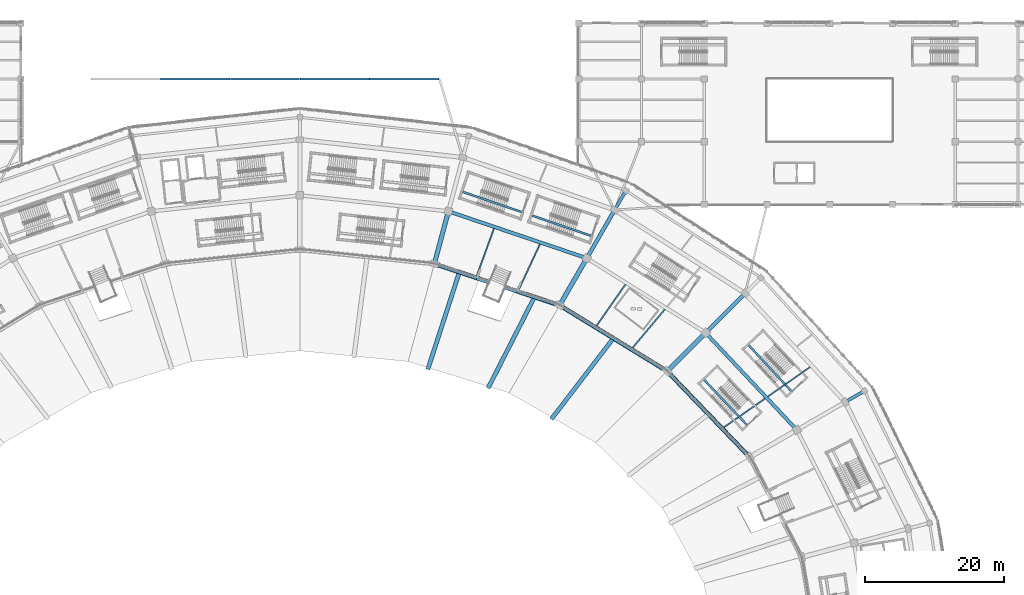
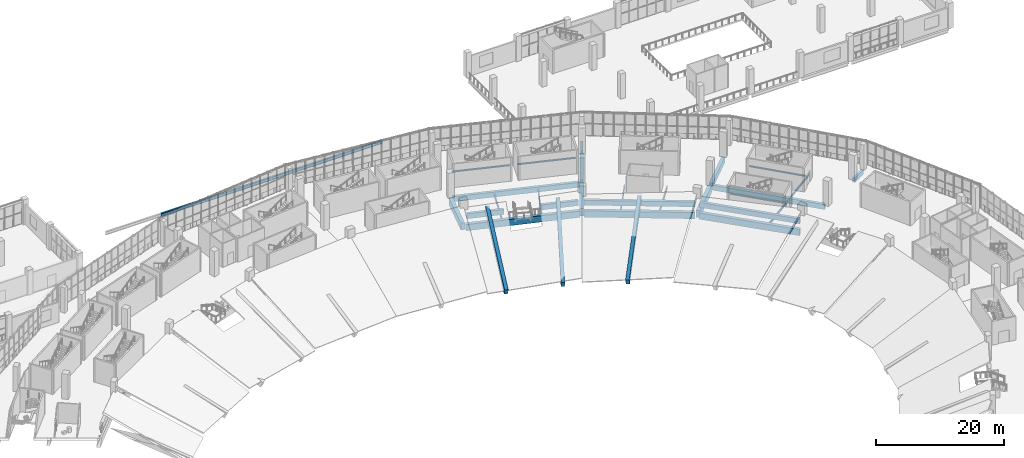
# One storey, part 60 of 183: 33 beams.
"""IFC4 building model written with IfcOpenShell, lengths in metres."""

from ifc_helpers import new_model, si_unit, direction, frame, origin, origin_2d, place, context, subcontext, project, spatial, rectangle, i_section, extrude, material, material_profile, profile_set, type_object, element, save


model = new_model("IFC4")

# Units and contexts
model_context = context("Model", 3, precision=1e-05, world=origin(), true_north=direction((0.0, 1.0)))
body_context = subcontext(model_context, "Body", "Model", "MODEL_VIEW")
ifc_project = project(units=[si_unit("LENGTHUNIT", "METRE"), si_unit("AREAUNIT", "SQUARE_METRE"), si_unit("VOLUMEUNIT", "CUBIC_METRE"), si_unit("PLANEANGLEUNIT", "RADIAN"), si_unit("MASSUNIT", "GRAM", prefix="KILO")], contexts=[model_context])

# Site, building, storey
site_placement = place(None, origin())
site = spatial("IfcSite", under=ifc_project, at=site_placement, CompositionType="ELEMENT")
building_placement = place(site_placement, origin())
building = spatial("IfcBuilding", under=site, at=building_placement, Name="Zevraka Park Crest Stadium", CompositionType="ELEMENT")
storey_placement = place(building_placement, frame((0.0, 0.0, 5.39990234375)))
storey = spatial("IfcBuildingStorey", under=building, at=storey_placement, Name="L01", CompositionType="ELEMENT", Elevation=5.39990234375)

# Beams
ifc_material_1 = material(Name="Concrete C40/50", Category="concrete")
ifc_material_profile_1 = material_profile(ifc_material_1, rectangle(XDim=0.64990234375, YDim=1.35009765625, at=origin_2d()), Name="RC 1350x650")
ifc_profile_set_1 = profile_set([ifc_material_profile_1], Name="Concrete C40/50")
beam_type_1 = type_object("IfcBeamType", Name="BG01", PredefinedType="BEAM", material=ifc_profile_set_1)
beam_1_placement = place(storey_placement, frame((164.89111328125, 134.284912109375, -0.684814453125), z_axis=(0.707157639372, 0.707055919343, 0.0), x_axis=(-0.707055919343, 0.707157639372, 0.0)))
element("IfcBeam", 1, at=beam_1_placement, inside=storey, type_object=beam_type_1, Name="Radial Girder BG01 L01-BC-03", PredefinedType="BEAM", context=body_context, shape_type="SweptSolid", body=[
    extrude(rectangle(XDim=0.64990234375, YDim=1.35009765625, at=origin_2d()), origin(), (0.0, 0.0, 1.0), 7.200439453125),
])
beam_2_placement = place(storey_placement, frame((149.39990234375, 143.7890625, -0.684814453125), z_axis=(0.500041424909, 0.866001485781, 0.0), x_axis=(-0.866001485781, 0.500041424909, 0.0)))
element("IfcBeam", 2, at=beam_2_placement, inside=storey, type_object=beam_type_1, Name="Radial Girder BG01 L01-BC-04", PredefinedType="BEAM", context=body_context, shape_type="SweptSolid", body=[
    extrude(rectangle(XDim=0.64990234375, YDim=1.35009765625, at=origin_2d()), origin(), (0.0, 0.0, 1.0), 7.19970703125),
])
beam_3_placement = place(storey_placement, frame((131.360107421875, 149.762939453125, -0.684814453125), z_axis=(0.258747385792, 0.965945024495, 0.0), x_axis=(-0.965945024495, 0.258747385792, 0.0)))
element("IfcBeam", 3, at=beam_3_placement, inside=storey, type_object=beam_type_1, Name="Radial Girder BG01 L01-BC-05", PredefinedType="BEAM", context=body_context, shape_type="SweptSolid", body=[
    extrude(rectangle(XDim=0.64990234375, YDim=1.35009765625, at=origin_2d()), origin(), (0.0, 0.0, 1.0), 7.19921875),
])
ifc_material_2 = material(Name="Concrete C40/50", Category="concrete")
ifc_material_profile_2 = material_profile(ifc_material_2, rectangle(XDim=0.550048828125, YDim=1.10009765625, at=origin_2d()), Name="RC 1100x550")
ifc_profile_set_2 = profile_set([ifc_material_profile_2], Name="Concrete C40/50")
beam_type_2 = type_object("IfcBeamType", Name="BG02", PredefinedType="BEAM", material=ifc_profile_set_2)
beam_4_placement = place(storey_placement, frame((170.406982421875, 139.800048828125, -0.559814453125), z_axis=(0.707106781187, 0.707106781187, 0.0), x_axis=(-0.707106781187, 0.707106781187, 0.0)))
element("IfcBeam", 4, at=beam_4_placement, inside=storey, type_object=beam_type_2, Name="Radial Girder BG02 L01-CD-03", PredefinedType="BEAM", context=body_context, shape_type="SweptSolid", body=[
    extrude(rectangle(XDim=0.550048828125, YDim=1.10009765625, at=origin_2d()), origin(), (0.0, 0.0, 1.0), 7.400390625),
])
beam_5_placement = place(storey_placement, frame((153.300048828125, 150.5439453125, -0.559814453125), z_axis=(0.500031859608, 0.86600700885, 0.0), x_axis=(-0.86600700885, 0.500031859608, 0.0)))
element("IfcBeam", 5, at=beam_5_placement, inside=storey, type_object=beam_type_2, Name="Radial Girder BG02 L01-CD-04", PredefinedType="BEAM", context=body_context, shape_type="SweptSolid", body=[
    extrude(rectangle(XDim=0.550048828125, YDim=1.10009765625, at=origin_2d()), origin(), (0.0, 0.0, 1.0), 7.3994140625),
])
ifc_material_3 = material(Name="Concrete C40/50", Category="concrete")
ifc_material_profile_3 = material_profile(ifc_material_3, rectangle(XDim=0.449951171875, YDim=0.85009765625, at=origin_2d()), Name="RC 850x450")
ifc_profile_set_3 = profile_set([ifc_material_profile_3], Name="Concrete C40/50")
beam_type_3 = type_object("IfcBeamType", Name="BG03", PredefinedType="BEAM", material=ifc_profile_set_3)
for number, where, z_axis, x_axis, name in (
    (6, (190.4619140625, 129.800048828125, -0.434814453125), (0.865950948929, 0.500128937424, 0.0), (-0.500128937424, 0.865950948929, 0.0), "Radial Girder BG03 L01-DE-02"),
    (7, (157.300048828125, 157.471923828125, -0.434814453125), (0.500128937424, 0.865950948929, 0.0), (-0.865950948929, 0.500128937424, 0.0), "Radial Girder BG03 L01-DE-04"),
):
    element("IfcBeam", number, at=place(storey_placement, frame(where, z_axis=z_axis, x_axis=x_axis)), inside=storey, type_object=beam_type_3, Name=name, PredefinedType="BEAM", context=body_context, shape_type="SweptSolid", body=[
        extrude(rectangle(XDim=0.449951171875, YDim=0.85009765625, at=origin_2d()), origin(), (0.0, 0.0, 1.0), 2.599365234375),
    ])
ifc_material_4 = material(Name="Concrete C40/50", Category="concrete")
ifc_material_profile_4 = material_profile(ifc_material_4, rectangle(XDim=0.60009765625, YDim=1.199951171875, at=origin_2d()), Name="RC 1200x600")
ifc_profile_set_4 = profile_set([ifc_material_profile_4], Name="Concrete C40/50")
beam_type_4 = type_object("IfcBeamType", Name="RB01", PredefinedType="BEAM", material=ifc_profile_set_4)
beam_6_placement = place(storey_placement, frame((176.256103515625, 122.02392578125, -0.60986328125), z_axis=(-0.692852617328, 0.721079226342, 0.0), x_axis=(-0.721079226342, -0.692852617328, 0.0)))
element("IfcBeam", 8, at=beam_6_placement, inside=storey, type_object=beam_type_4, Name="Ring Beam RB01 L01-B-02", PredefinedType="BEAM", context=body_context, shape_type="SweptSolid", body=[
    extrude(rectangle(XDim=0.60009765625, YDim=1.199951171875, at=origin_2d()), origin(), (0.0, 0.0, 1.0), 16.329833984375),
])
beam_7_placement = place(storey_placement, frame((164.35498046875, 134.27197265625, -0.60986328125), z_axis=(-0.852632623571, 0.522510869956, 0.0), x_axis=(-0.522510869956, -0.852632623571, 0.0)))
element("IfcBeam", 9, at=beam_7_placement, inside=storey, type_object=beam_type_4, Name="Ring Beam RB01 L01-B-03", PredefinedType="BEAM", context=body_context, shape_type="SweptSolid", body=[
    extrude(rectangle(XDim=0.60009765625, YDim=1.199951171875, at=origin_2d()), origin(), (0.0, 0.0, 1.0), 17.335693359375),
])
beam_8_placement = place(storey_placement, frame((148.888916015625, 143.64794921875, -0.60986328125), z_axis=(-0.949383863235, 0.314118258349, 0.0), x_axis=(-0.314118258349, -0.949383863235, 0.0)))
element("IfcBeam", 10, at=beam_8_placement, inside=storey, type_object=beam_type_4, Name="Ring Beam RB01 L01-B-04", PredefinedType="BEAM", context=body_context, shape_type="SweptSolid", body=[
    extrude(rectangle(XDim=0.60009765625, YDim=1.199951171875, at=origin_2d()), origin(), (0.0, 0.0, 1.0), 18.165283203125),
])
ifc_material_5 = material(Name="Concrete C40/50", Category="concrete")
ifc_material_profile_5 = material_profile(ifc_material_5, rectangle(XDim=0.5, YDim=0.949951171875, at=origin_2d()), Name="RC 950x500")
ifc_profile_set_5 = profile_set([ifc_material_profile_5], Name="Concrete C40/50")
beam_type_5 = type_object("IfcBeamType", Name="RB02", PredefinedType="BEAM", material=ifc_profile_set_5)
beam_9_placement = place(storey_placement, frame((183.013916015625, 125.927001953125, -0.48486328125), z_axis=(-0.684268936493, 0.729229746068, 0.0), x_axis=(-0.729229746068, -0.684268936493, 0.0)))
element("IfcBeam", 11, at=beam_9_placement, inside=storey, type_object=beam_type_5, Name="Ring Beam RB02 L01-C-02", PredefinedType="BEAM", context=body_context, shape_type="SweptSolid", body=[
    extrude(rectangle(XDim=0.5, YDim=0.949951171875, at=origin_2d()), origin(), (0.0, 0.0, 1.0), 18.353759765625),
])
beam_10_placement = place(storey_placement, frame((152.7900390625, 150.406005859375, -0.48486328125), z_axis=(-0.947147952377, 0.320797064058, 0.0), x_axis=(-0.320797064058, -0.947147952377, 0.0)))
element("IfcBeam", 12, at=beam_10_placement, inside=storey, type_object=beam_type_5, Name="Ring Beam RB02 L01-C-04", PredefinedType="BEAM", context=body_context, shape_type="SweptSolid", body=[
    extrude(rectangle(XDim=0.5, YDim=0.949951171875, at=origin_2d()), origin(), (0.0, 0.0, 1.0), 20.196533203125),
])
beam_11_placement = place(storey_placement, frame((176.256103515625, 122.02392578125, 1.505126953125), z_axis=(-0.692852617328, 0.721079226342, 0.0), x_axis=(-0.721079226342, -0.692852617328, 0.0)))
element("IfcBeam", 13, at=beam_11_placement, inside=storey, type_object=beam_type_5, Name="Lower Tier Head Raker Ring Beam RB02 02", PredefinedType="BEAM", context=body_context, shape_type="SweptSolid", body=[
    extrude(rectangle(XDim=0.5, YDim=0.949951171875, at=origin_2d()), origin(), (0.0, 0.0, 1.0), 16.329833984375),
])
beam_12_placement = place(storey_placement, frame((164.35498046875, 134.27197265625, 1.505126953125), z_axis=(-0.852632623571, 0.522510869956, 0.0), x_axis=(-0.522510869956, -0.852632623571, 0.0)))
element("IfcBeam", 14, at=beam_12_placement, inside=storey, type_object=beam_type_5, Name="Lower Tier Head Raker Ring Beam RB02 03", PredefinedType="BEAM", context=body_context, shape_type="SweptSolid", body=[
    extrude(rectangle(XDim=0.5, YDim=0.949951171875, at=origin_2d()), origin(), (0.0, 0.0, 1.0), 17.335693359375),
])
for number, where, z_axis, x_axis, name in (
    (15, (148.7109375, 143.70703125, 1.505126953125), (-0.949375956717, 0.31414215382, 0.0), (-0.31414215382, -0.949375956717, 0.0), "Lower Tier Head Raker Ring Beam RB02 04-1"),
    (16, (137.39111328125, 147.451904296875, 1.505126953125), (-0.949380063139, 0.314129743442, 0.0), (-0.314129743442, -0.949380063139, 0.0), "Lower Tier Head Raker Ring Beam RB02 04-2"),
):
    element("IfcBeam", number, at=place(storey_placement, frame(where, z_axis=z_axis, x_axis=x_axis)), inside=storey, type_object=beam_type_5, Name=name, PredefinedType="BEAM", context=body_context, shape_type="SweptSolid", body=[
        extrude(rectangle(XDim=0.5, YDim=0.949951171875, at=origin_2d()), origin(), (0.0, 0.0, 1.0), 5.866943359375),
    ])
ifc_material_6 = material(Name="Steel S355", Category="steel")
ifc_material_profile_6 = material_profile(ifc_material_6, i_section(OverallWidth=0.300048828125, OverallDepth=0.60009765625, WebThickness=0.015380859375, FlangeThickness=0.030029296875, at=origin_2d()), Name="HEB 600")
ifc_profile_set_6 = profile_set([ifc_material_profile_6], Name="Steel S355")
beam_type_6 = type_object("IfcBeamType", Name="RB03", PredefinedType="BEAM", material=ifc_profile_set_6)
for number, where, z_axis, x_axis, name in (
    (17, (92.02001953125, 176.0, -0.60986328125), (1.0, 0.0, 0.0), (0.0, 1.0, 0.0), "Arcade Eave Beam RB03 PADN-2"),
    (18, (102.02001953125, 176.0, -0.60986328125), (1.0, 0.0, 0.0), (0.0, 1.0, 0.0), "Arcade Eave Beam RB03 PADN-3"),
    (19, (112.02001953125, 176.0, -0.60986328125), (1.0, 0.0, 0.0), (0.0, 1.0, 0.0), "Arcade Eave Beam RB03 PADN-4"),
    (20, (122.02001953125, 176.0, -0.60986328125), (1.0, 0.0, 0.0), (0.0, 1.0, 0.0), "Arcade Eave Beam RB03 PADN-5"),
):
    element("IfcBeam", number, at=place(storey_placement, frame(where, z_axis=z_axis, x_axis=x_axis)), inside=storey, type_object=beam_type_6, Name=name, PredefinedType="BEAM", context=body_context, shape_type="SweptSolid", body=[
        extrude(i_section(OverallWidth=0.300048828125, OverallDepth=0.60009765625, WebThickness=0.015380859375, FlangeThickness=0.030029296875, at=origin_2d()), origin(), (0.0, 0.0, 1.0), 9.9599609375),
    ])
ifc_material_7 = material(Name="Concrete C40/50", Category="concrete")
ifc_material_profile_7 = material_profile(ifc_material_7, rectangle(XDim=0.60009765625, YDim=1.199951171875, at=origin_2d()), Name="RC 1200x600")
ifc_profile_set_7 = profile_set([ifc_material_profile_7], Name="Concrete C40/50")
beam_type_7 = type_object("IfcBeamType", Name="RK01", PredefinedType="BEAM", material=ifc_profile_set_7)
beam_13_placement = place(storey_placement, frame((148.212890625, 127.39599609375, -3.64990234375), z_axis=(0.55912472884, 0.728679361355, 0.39548189078), x_axis=(-0.793358919709, 0.608754157701, 0.0)))
element("IfcBeam", 21, at=beam_13_placement, inside=storey, type_object=beam_type_7, Name="Lower Bowl Raker Girder RK01 03", PredefinedType="BEAM", context=body_context, shape_type="SweptSolid", body=[
    extrude(rectangle(XDim=0.60009765625, YDim=1.199951171875, at=origin_2d()), origin(), (0.0, 0.0, 1.0), 15.651611328125),
])
beam_14_placement = place(storey_placement, frame((139.10595703125, 131.8701171875, -3.64990234375), z_axis=(0.417372414176, 0.818674691416, 0.39442618767), x_axis=(-0.890902251641, 0.454195088063, 0.0)))
element("IfcBeam", 22, at=beam_14_placement, inside=storey, type_object=beam_type_7, Name="Lower Bowl Raker Girder RK01 04-1", PredefinedType="BEAM", context=body_context, shape_type="SweptSolid", body=[
    extrude(rectangle(XDim=0.60009765625, YDim=1.199951171875, at=origin_2d()), origin(), (0.0, 0.0, 1.0), 15.693603515625),
])
beam_15_placement = place(storey_placement, frame((130.423095703125, 134.568115234375, -3.64990234375), z_axis=(0.283751225252, 0.874014136446, 0.394442050827), x_axis=(-0.95113106587, 0.308787460135, 0.0)))
element("IfcBeam", 23, at=beam_15_placement, inside=storey, type_object=beam_type_7, Name="Lower Bowl Raker Girder RK01 04-2", PredefinedType="BEAM", context=body_context, shape_type="SweptSolid", body=[
    extrude(rectangle(XDim=0.60009765625, YDim=1.199951171875, at=origin_2d()), origin(), (0.0, 0.0, 1.0), 15.69287109375),
])
ifc_material_8 = material(Name="Steel S355", Category="steel")
ifc_material_profile_8 = material_profile(ifc_material_8, i_section(OverallWidth=0.169921875, OverallDepth=0.360107421875, WebThickness=0.008056640625, FlangeThickness=0.0126953125, at=origin_2d()), Name="IPE 360")
ifc_profile_set_8 = profile_set([ifc_material_profile_8], Name="Steel S355")
beam_type_8 = type_object("IfcBeamType", Name="SJ02", PredefinedType="JOIST", material=ifc_profile_set_8)
beam_16_placement = place(storey_placement, frame((179.114990234375, 130.43603515625, -0.48779296875), z_axis=(0.819262921224, 0.573418055093, 0.0), x_axis=(-0.573418055093, 0.819262921224, 0.0)))
element("IfcBeam", 24, at=beam_16_placement, inside=storey, type_object=beam_type_8, Name="Floor Joist SJ02 L01-CD-02-1", PredefinedType="JOIST", context=body_context, shape_type="SweptSolid", body=[
    extrude(i_section(OverallWidth=0.169921875, OverallDepth=0.360107421875, WebThickness=0.008056640625, FlangeThickness=0.0126953125, at=origin_2d()), origin(), (0.0, 0.0, 1.0), 7.3994140625),
])
ifc_material_9 = material(Name="Steel S355", Category="steel")
ifc_material_profile_9 = material_profile(ifc_material_9, i_section(OverallWidth=0.18994140625, OverallDepth=0.449951171875, WebThickness=0.009521484375, FlangeThickness=0.0146484375, at=origin_2d()), Name="IPE 450")
ifc_profile_set_9 = profile_set([ifc_material_profile_9], Name="Steel S355")
beam_type_9 = type_object("IfcBeamType", Name="SJ03", PredefinedType="JOIST", material=ifc_profile_set_9)
beam_17_placement = place(storey_placement, frame((172.830078125, 126.0380859375, -0.532958984375), z_axis=(0.819291006528, 0.573377926522, 0.0), x_axis=(-0.573377926522, 0.819291006528, 0.0)))
element("IfcBeam", 25, at=beam_17_placement, inside=storey, type_object=beam_type_9, Name="Floor Joist SJ03 L01-BC-02-1", PredefinedType="JOIST", context=body_context, shape_type="SweptSolid", body=[
    extrude(i_section(OverallWidth=0.18994140625, OverallDepth=0.449951171875, WebThickness=0.009521484375, FlangeThickness=0.0146484375, at=origin_2d()), origin(), (0.0, 0.0, 1.0), 7.181884765625),
])
beam_18_placement = place(storey_placement, frame((159.739013671875, 137.466064453125, -0.532958984375), z_axis=(0.642942486631, 0.765914459247, 0.0), x_axis=(-0.765914459247, 0.642942486631, 0.0)))
element("IfcBeam", 26, at=beam_18_placement, inside=storey, type_object=beam_type_9, Name="Floor Joist SJ03 L01-BC-03-1", PredefinedType="JOIST", context=body_context, shape_type="SweptSolid", body=[
    extrude(i_section(OverallWidth=0.18994140625, OverallDepth=0.449951171875, WebThickness=0.009521484375, FlangeThickness=0.0146484375, at=origin_2d()), origin(), (0.0, 0.0, 1.0), 7.180908203125),
])
for number, where, z_axis, x_axis, name in (
    (27, (154.573974609375, 140.635009765625, -0.532958984375), (0.573350525279, 0.819310182509, 0.0), (-0.819310182509, 0.573350525279, 0.0), "Floor Joist SJ03 L01-BC-03-2"),
    (28, (143.39404296875, 145.7958984375, -0.532958984375), (0.422799841013, 0.906223093085, 0.0), (-0.906223093085, 0.422799841013, 0.0), "Floor Joist SJ03 L01-BC-04-1"),
):
    element("IfcBeam", number, at=place(storey_placement, frame(where, z_axis=z_axis, x_axis=x_axis)), inside=storey, type_object=beam_type_9, Name=name, PredefinedType="JOIST", context=body_context, shape_type="SweptSolid", body=[
        extrude(i_section(OverallWidth=0.18994140625, OverallDepth=0.449951171875, WebThickness=0.009521484375, FlangeThickness=0.0146484375, at=origin_2d()), origin(), (0.0, 0.0, 1.0), 7.180419921875),
    ])
beam_19_placement = place(storey_placement, frame((137.37890625, 147.7880859375, -0.532958984375), z_axis=(0.341906854884, 0.939733846673, 0.0), x_axis=(-0.939733846673, 0.341906854884, 0.0)))
element("IfcBeam", 29, at=beam_19_placement, inside=storey, type_object=beam_type_9, Name="Floor Joist SJ03 L01-BC-04-2", PredefinedType="JOIST", context=body_context, shape_type="SweptSolid", body=[
    extrude(i_section(OverallWidth=0.18994140625, OverallDepth=0.449951171875, WebThickness=0.009521484375, FlangeThickness=0.0146484375, at=origin_2d()), origin(), (0.0, 0.0, 1.0), 7.1806640625),
])
ifc_material_10 = material(Name="Concrete C40/50", Category="concrete")
ifc_material_profile_10 = material_profile(ifc_material_10, rectangle(XDim=0.280029296875, YDim=0.199951171875, at=origin_2d()), Name="RC 200x280")
ifc_profile_set_10 = profile_set([ifc_material_profile_10], Name="Concrete C40/50")
beam_type_10 = type_object("IfcBeamType", Name="SJ13", PredefinedType="JOIST", material=ifc_profile_set_10)
beam_20_placement = place(storey_placement, frame((182.544677734375, 131.1572265625, 2.300048828125), z_axis=(-0.680247587728, 0.732982414107, 0.0), x_axis=(-0.732982414107, -0.680247587728, 0.0)))
element("IfcBeam", 30, at=beam_20_placement, inside=storey, type_object=beam_type_10, Name="Stair Upper-Flight Longitudinal Stringer SJ13 ST03-L01", PredefinedType="JOIST", context=body_context, shape_type="SweptSolid", body=[
    extrude(rectangle(XDim=0.280029296875, YDim=0.199951171875, at=origin_2d()), origin(), (0.0, 0.0, 1.0), 9.25),
])
beam_21_placement = place(storey_placement, frame((153.882080078125, 153.457763671875, 2.300048828125), z_axis=(-0.946065027556, 0.323976794902, 0.0), x_axis=(-0.323976794902, -0.946065027556, 0.0)))
element("IfcBeam", 31, at=beam_21_placement, inside=storey, type_object=beam_type_10, Name="Stair Upper-Flight Longitudinal Stringer SJ13 ST05-L01", PredefinedType="JOIST", context=body_context, shape_type="SweptSolid", body=[
    extrude(rectangle(XDim=0.280029296875, YDim=0.199951171875, at=origin_2d()), origin(), (0.0, 0.0, 1.0), 9.250244140625),
])
beam_22_placement = place(storey_placement, frame((143.947998046875, 156.85888671875, 2.300048828125), z_axis=(-0.946062257195, 0.323984884697, 0.0), x_axis=(-0.323984884697, -0.946062257195, 0.0)))
element("IfcBeam", 32, at=beam_22_placement, inside=storey, type_object=beam_type_10, Name="Stair Upper-Flight Longitudinal Stringer SJ13 ST25-L01", PredefinedType="JOIST", context=body_context, shape_type="SweptSolid", body=[
    extrude(rectangle(XDim=0.280029296875, YDim=0.199951171875, at=origin_2d()), origin(), (0.0, 0.0, 1.0), 9.25),
])
beam_23_placement = place(storey_placement, frame((176.159423828125, 126.32373046875, 2.300048828125), z_axis=(-0.688319481212, 0.725407672819, 0.0), x_axis=(-0.725407672819, -0.688319481212, 0.0)))
element("IfcBeam", 33, at=beam_23_placement, inside=storey, type_object=beam_type_10, Name="Stair Upper-Flight Longitudinal Stringer SJ13 ST34-L01", PredefinedType="JOIST", context=body_context, shape_type="SweptSolid", body=[
    extrude(rectangle(XDim=0.280029296875, YDim=0.199951171875, at=origin_2d()), origin(), (0.0, 0.0, 1.0), 9.14990234375),
])

save(model, "model.ifc")
